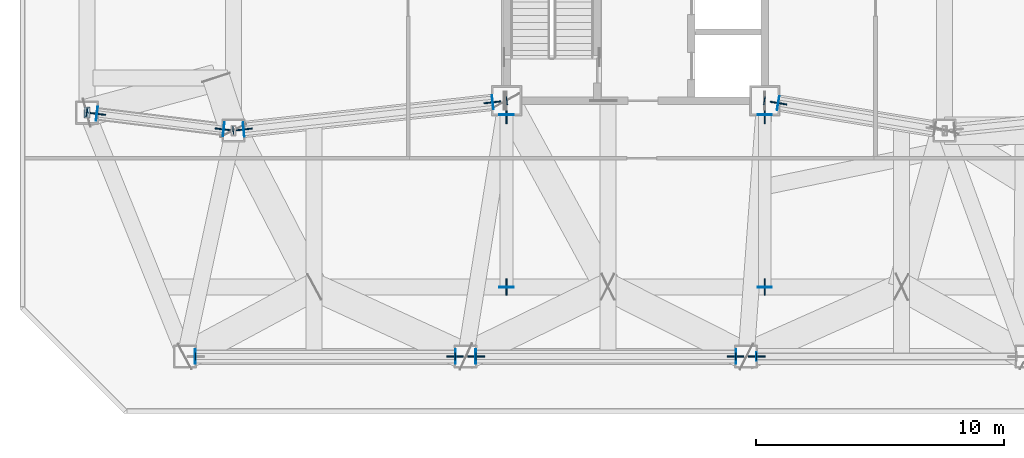
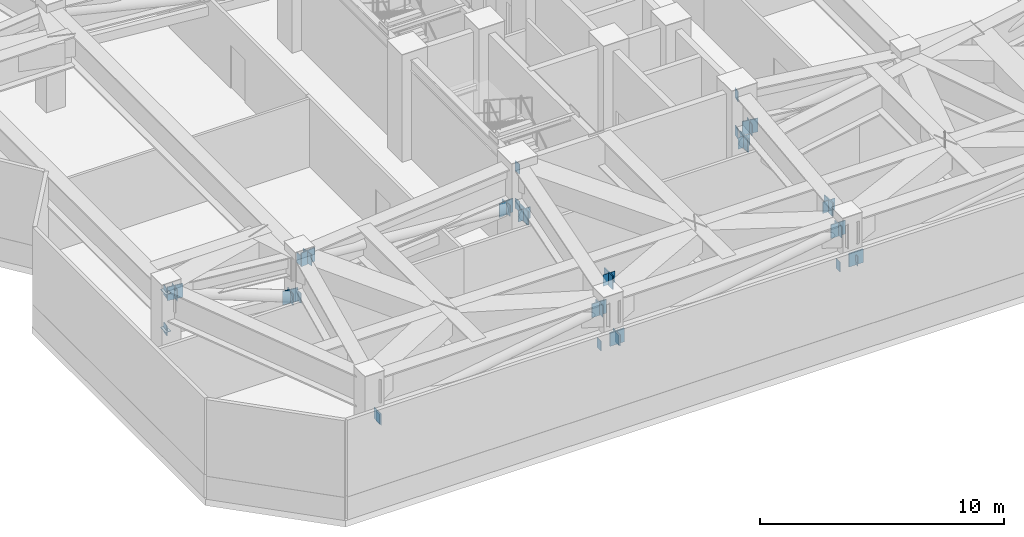
# One storey, part 9 of 19: 42 plates.
"""IFC4 building model written with IfcOpenShell, lengths in metres."""

from ifc_helpers import new_model, si_unit, direction, frame, origin, origin_2d, place, context, subcontext, project, spatial, rectangle, extrude, material, layer, layer_set, type_object, element, save


model = new_model("IFC4")

# Units and contexts
model_context = context("Model", 3, precision=1e-05, world=origin(), true_north=direction((0.0, 1.0)))
body_context = subcontext(model_context, "Body", "Model", "MODEL_VIEW")
ifc_project = project(units=[si_unit("LENGTHUNIT", "METRE"), si_unit("AREAUNIT", "SQUARE_METRE"), si_unit("VOLUMEUNIT", "CUBIC_METRE"), si_unit("PLANEANGLEUNIT", "RADIAN"), si_unit("MASSUNIT", "GRAM", prefix="KILO")], contexts=[model_context])

# Site, building, storey
site_placement = place(None, origin())
site = spatial("IfcSite", under=ifc_project, at=site_placement, CompositionType="ELEMENT")
building_placement = place(site_placement, origin())
building = spatial("IfcBuilding", under=site, at=building_placement, Name="Khamvora Tower", CompositionType="ELEMENT")
storey_placement = place(building_placement, frame((0.0, 0.0, 150.5)))
storey = spatial("IfcBuildingStorey", under=building, at=storey_placement, Name="L38", CompositionType="ELEMENT", Elevation=150.5)

# Plates
ifc_material_1 = material(Name="Steel S355", Category="steel")
ifc_layer_1 = layer(ifc_material_1, 0.02490234375)
ifc_layer_set_1 = layer_set([ifc_layer_1], Name="Steel S355")
plate_type_1 = type_object("IfcPlateType", Name="PL-CAP-25", PredefinedType="SHEET", material=ifc_layer_set_1)
for number, where, z_axis, x_axis, name in (
    (1, (29.011962890625, 19.0009765625, 4.375), (0.0, 0.0, 1.0), (-0.994101853063, -0.108450475968, 0.0), "L38 hollow section steel end cap plate 0796"),
    (2, (17.988037109375, 17.799072265625, 4.375), (0.0, 0.0, 1.0), (-0.994101853063, -0.108450475968, 0.0), "L38 hollow section steel end cap plate 0797"),
    (3, (29.011962890625, 19.0009765625, 2.5048828125), (0.0, 0.0, 1.0), (-0.994101853063, -0.108450475968, 0.0), "L38 hollow section steel end cap plate 0798"),
    (4, (17.988037109375, 17.799072265625, 2.5048828125), (0.0, 0.0, 1.0), (-0.994101853063, -0.108450475968, 0.0), "L38 hollow section steel end cap plate 0799"),
):
    element("IfcPlate", number, at=place(storey_placement, frame(where, z_axis=z_axis, x_axis=x_axis)), inside=storey, type_object=plate_type_1, Name=name, PredefinedType="SHEET", context=body_context, shape_type="SweptSolid", body=[
        extrude(rectangle(XDim=0.02490234375, YDim=0.31005859375, at=origin_2d()), origin(), (0.0, 0.0, 1.0), 0.510009765625),
    ])
for number, where, z_axis, x_axis, name in (
    (5, (28.443115234375, 18.93896484375, 2.57080078125), (0.0, 0.0, 1.0), (-0.994101853063, -0.108450475968, 0.0), "L38 hollow section steel end cap plate 0800"),
    (6, (18.408935546875, 17.844970703125, 4.27587890625), (0.0, 0.0, 1.0), (-0.994101853063, -0.108450475968, 0.0), "L38 hollow section steel end cap plate 0801"),
):
    element("IfcPlate", number, at=place(storey_placement, frame(where, z_axis=z_axis, x_axis=x_axis)), inside=storey, type_object=plate_type_1, Name=name, PredefinedType="SHEET", context=body_context, shape_type="SweptSolid", body=[
        extrude(rectangle(XDim=0.02490234375, YDim=0.568115234375, at=origin_2d()), origin(), (0.0, 0.0, 1.0), 0.568115234375),
    ])
for number, where, z_axis, x_axis, name in (
    (7, (12.087890625, 18.527099609375, 4.375), (0.0, 0.0, 1.0), (-0.992535512756, 0.121955958933, 0.0), "L38 hollow section steel end cap plate 0802"),
    (8, (12.087890625, 18.527099609375, 2.5048828125), (0.0, 0.0, 1.0), (-0.992535512756, 0.121955958933, 0.0), "L38 hollow section steel end cap plate 0803"),
):
    element("IfcPlate", number, at=place(storey_placement, frame(where, z_axis=z_axis, x_axis=x_axis)), inside=storey, type_object=plate_type_1, Name=name, PredefinedType="SHEET", context=body_context, shape_type="SweptSolid", body=[
        extrude(rectangle(XDim=0.02490234375, YDim=0.31005859375, at=origin_2d()), origin(), (0.0, 0.0, 1.0), 0.510009765625),
    ])
for number, where, z_axis, x_axis, name in (
    (9, (17.60498046875, 17.84912109375, 2.60107421875), (0.0, 0.0, 1.0), (-0.992533384071, 0.121973281927, 0.0), "L38 hollow section steel end cap plate 0804"),
    (10, (12.4951171875, 18.47607421875, 4.220703125), (0.0, 0.0, 1.0), (-0.992533384071, 0.121973281927, 0.0), "L38 hollow section steel end cap plate 0805"),
):
    element("IfcPlate", number, at=place(storey_placement, frame(where, z_axis=z_axis, x_axis=x_axis)), inside=storey, type_object=plate_type_1, Name=name, PredefinedType="SHEET", context=body_context, shape_type="SweptSolid", body=[
        extrude(rectangle(XDim=0.02490234375, YDim=0.568115234375, at=origin_2d()), origin(), (0.0, 0.0, 1.0), 0.568115234375),
    ])
for number, where, z_axis, x_axis, name in (
    (11, (12.10009765625, 18.52490234375, 2.735595703125), (0.0, 0.0, 1.0), (1.0, 0.0, 0.0), "L38 hollow section steel end cap plate 0806"),
    (12, (12.10009765625, 18.52490234375, 4.629638671875), (0.0, 0.0, 1.0), (1.0, 0.0, 0.0), "L38 hollow section steel end cap plate 0807"),
):
    element("IfcPlate", number, at=place(storey_placement, frame(where, z_axis=z_axis, x_axis=x_axis)), inside=storey, type_object=plate_type_1, Name=name, PredefinedType="SHEET", context=body_context, shape_type="SweptSolid", body=[
        extrude(rectangle(XDim=0.239990234375, YDim=0.43994140625, at=origin_2d()), origin(), (0.0, 0.0, 1.0), 0.02490234375),
    ])
for number, where, z_axis, x_axis, name in (
    (13, (39.387939453125, 19.001953125, 4.375), (0.0, 0.0, 1.0), (0.986577862158, -0.163291524277, 0.0), "L38 hollow section steel end cap plate 0820"),
    (14, (39.387939453125, 19.001953125, 2.5048828125), (0.0, 0.0, 1.0), (0.986577862158, -0.163291524277, 0.0), "L38 hollow section steel end cap plate 0822"),
):
    element("IfcPlate", number, at=place(storey_placement, frame(where, z_axis=z_axis, x_axis=x_axis)), inside=storey, type_object=plate_type_1, Name=name, PredefinedType="SHEET", context=body_context, shape_type="SweptSolid", body=[
        extrude(rectangle(XDim=0.02490234375, YDim=0.31005859375, at=origin_2d()), origin(), (0.0, 0.0, 1.0), 0.510009765625),
    ])
plate_1_placement = place(storey_placement, frame((39.943115234375, 18.909912109375, 2.61572265625), z_axis=(0.0, 0.0, 1.0), x_axis=(0.986580711982, -0.16327430522, 0.0)))
element("IfcPlate", 15, at=plate_1_placement, inside=storey, type_object=plate_type_1, Name="L38 hollow section steel end cap plate 0824", PredefinedType="SHEET", context=body_context, shape_type="SweptSolid", body=[
    extrude(rectangle(XDim=0.02490234375, YDim=0.568115234375, at=origin_2d()), origin(), (0.0, 0.0, 1.0), 0.568115234375),
])
for number, where, z_axis, x_axis, name in (
    (16, (16.468017578125, 8.699951171875, 2.5048828125), (0.0, 0.0, 1.0), (1.0, 0.0, 0.0), "L38 hollow section steel end cap plate 0844"),
    (17, (26.93310546875, 8.699951171875, 2.5048828125), (0.0, 0.0, 1.0), (1.0, 0.0, 0.0), "L38 hollow section steel end cap plate 0845"),
):
    element("IfcPlate", number, at=place(storey_placement, frame(where, z_axis=z_axis, x_axis=x_axis)), inside=storey, type_object=plate_type_1, Name=name, PredefinedType="SHEET", context=body_context, shape_type="SweptSolid", body=[
        extrude(rectangle(XDim=0.02490234375, YDim=0.31005859375, at=origin_2d()), origin(), (0.0, 0.0, 1.0), 0.510009765625),
    ])
for number, where, z_axis, x_axis, name in (
    (18, (16.4619140625, 8.699951171875, 2.5439453125), (0.0, 0.0, 1.0), (1.0, 0.0, 0.0), "L38 hollow section steel end cap plate 0846"),
    (19, (26.93798828125, 8.699951171875, 4.27783203125), (0.0, 0.0, 1.0), (1.0, 0.0, 0.0), "L38 hollow section steel end cap plate 0847"),
):
    element("IfcPlate", number, at=place(storey_placement, frame(where, z_axis=z_axis, x_axis=x_axis)), inside=storey, type_object=plate_type_1, Name=name, PredefinedType="SHEET", context=body_context, shape_type="SweptSolid", body=[
        extrude(rectangle(XDim=0.02490234375, YDim=0.568115234375, at=origin_2d()), origin(), (0.0, 0.0, 1.0), 0.568115234375),
    ])
for number, where, z_axis, x_axis, name in (
    (20, (27.76806640625, 8.699951171875, 2.5048828125), (0.0, 0.0, 1.0), (1.0, 0.0, 0.0), "L38 hollow section steel end cap plate 0848"),
    (21, (38.23291015625, 8.699951171875, 2.5048828125), (0.0, 0.0, 1.0), (1.0, 0.0, 0.0), "L38 hollow section steel end cap plate 0849"),
):
    element("IfcPlate", number, at=place(storey_placement, frame(where, z_axis=z_axis, x_axis=x_axis)), inside=storey, type_object=plate_type_1, Name=name, PredefinedType="SHEET", context=body_context, shape_type="SweptSolid", body=[
        extrude(rectangle(XDim=0.02490234375, YDim=0.31005859375, at=origin_2d()), origin(), (0.0, 0.0, 1.0), 0.510009765625),
    ])
for number, where, z_axis, x_axis, name in (
    (22, (27.761962890625, 8.699951171875, 2.5439453125), (0.0, 0.0, 1.0), (1.0, 0.0, 0.0), "L38 hollow section steel end cap plate 0850"),
    (23, (38.238037109375, 8.699951171875, 4.27783203125), (0.0, 0.0, 1.0), (1.0, 0.0, 0.0), "L38 hollow section steel end cap plate 0851"),
):
    element("IfcPlate", number, at=place(storey_placement, frame(where, z_axis=z_axis, x_axis=x_axis)), inside=storey, type_object=plate_type_1, Name=name, PredefinedType="SHEET", context=body_context, shape_type="SweptSolid", body=[
        extrude(rectangle(XDim=0.02490234375, YDim=0.568115234375, at=origin_2d()), origin(), (0.0, 0.0, 1.0), 0.568115234375),
    ])
plate_2_placement = place(storey_placement, frame((39.06689453125, 8.699951171875, 2.5048828125), z_axis=(0.0, 0.0, 1.0), x_axis=(1.0, 0.0, 0.0)))
element("IfcPlate", 24, at=plate_2_placement, inside=storey, type_object=plate_type_1, Name="L38 hollow section steel end cap plate 0852", PredefinedType="SHEET", context=body_context, shape_type="SweptSolid", body=[
    extrude(rectangle(XDim=0.02490234375, YDim=0.31005859375, at=origin_2d()), origin(), (0.0, 0.0, 1.0), 0.510009765625),
])
for number, where, z_axis, x_axis, name in (
    (25, (29.0, 18.43798828125, 2.34716796875), (0.0, 0.0, 1.0), (0.0, -1.0, 0.0), "L38 hollow section steel end cap plate 0864"),
    (26, (29.0, 11.488037109375, 3.34814453125), (0.0, 0.0, 1.0), (0.0, -1.0, 0.0), "L38 hollow section steel end cap plate 0865"),
    (27, (39.39990234375, 18.43798828125, 2.34716796875), (0.0, 0.0, 1.0), (0.0, -1.0, 0.0), "L38 hollow section steel end cap plate 0866"),
    (28, (39.39990234375, 11.488037109375, 3.34814453125), (0.0, 0.0, 1.0), (0.0, -1.0, 0.0), "L38 hollow section steel end cap plate 0867"),
):
    element("IfcPlate", number, at=place(storey_placement, frame(where, z_axis=z_axis, x_axis=x_axis)), inside=storey, type_object=plate_type_1, Name=name, PredefinedType="SHEET", context=body_context, shape_type="SweptSolid", body=[
        extrude(rectangle(XDim=0.02490234375, YDim=0.568115234375, at=origin_2d()), origin(), (0.0, 0.0, 1.0), 0.568115234375),
    ])
plate_3_placement = place(storey_placement, frame((39.06201171875, 8.699951171875, 2.66455078125), z_axis=(0.0, 0.0, 1.0), x_axis=(1.0, 0.0, 0.0)))
element("IfcPlate", 29, at=plate_3_placement, inside=storey, type_object=plate_type_1, Name="L38 hollow section steel end cap plate 0932", PredefinedType="SHEET", context=body_context, shape_type="SweptSolid", body=[
    extrude(rectangle(XDim=0.02490234375, YDim=0.3330078125, at=origin_2d()), origin(), (0.0, 0.0, 1.0), 0.3330078125),
])
ifc_material_2 = material(Name="Steel S460", Category="steel")
ifc_layer_2 = layer(ifc_material_2, 0.050048828125)
ifc_layer_set_2 = layer_set([ifc_layer_2], Name="Steel S460")
plate_type_2 = type_object("IfcPlateType", Name="PLT-GUS-50", PredefinedType="SHEET", material=ifc_layer_set_2)
for number, where, z_axis, x_axis, name in (
    (30, (28.430908203125, 18.93798828125, 2.51708984375), (0.0, 0.0, 1.0), (-0.994101853063, -0.108450475968, 0.0), "L38 brace connection node gusset plate 0229"),
    (31, (18.4208984375, 17.845947265625, 4.21826171875), (0.0, 0.0, 1.0), (-0.994101853063, -0.108450475968, 0.0), "L38 brace connection node gusset plate 0230"),
    (32, (17.593017578125, 17.85009765625, 2.548828125), (0.0, 0.0, 1.0), (-0.992535512756, 0.121955958933, 0.0), "L38 brace connection node gusset plate 0231"),
    (33, (12.507080078125, 18.47509765625, 4.1611328125), (0.0, 0.0, 1.0), (-0.992535512756, 0.121955958933, 0.0), "L38 brace connection node gusset plate 0232"),
    (34, (39.955078125, 18.907958984375, 2.56298828125), (0.0, 0.0, 1.0), (0.986577862158, -0.163291524277, 0.0), "L38 brace connection node gusset plate 0237"),
    (35, (26.926025390625, 8.699951171875, 4.22021484375), (0.0, 0.0, 1.0), (1.0, 0.0, 0.0), "L38 brace connection node gusset plate 0246"),
    (36, (27.77392578125, 8.699951171875, 2.490234375), (0.0, 0.0, 1.0), (1.0, 0.0, 0.0), "L38 brace connection node gusset plate 0247"),
    (37, (38.22607421875, 8.699951171875, 4.22021484375), (0.0, 0.0, 1.0), (1.0, 0.0, 0.0), "L38 brace connection node gusset plate 0248"),
    (38, (29.0, 18.426025390625, 2.29296875), (0.0, 0.0, 1.0), (0.0, -1.0, 0.0), "L38 brace connection node gusset plate 0253"),
    (39, (29.0, 11.5, 3.2900390625), (0.0, 0.0, 1.0), (0.0, -1.0, 0.0), "L38 brace connection node gusset plate 0254"),
    (40, (39.39990234375, 18.426025390625, 2.29296875), (0.0, 0.0, 1.0), (0.0, -1.0, 0.0), "L38 brace connection node gusset plate 0255"),
    (41, (39.39990234375, 11.5, 3.2900390625), (0.0, 0.0, 1.0), (0.0, -1.0, 0.0), "L38 brace connection node gusset plate 0256"),
    (42, (39.073974609375, 8.699951171875, 2.4931640625), (0.0, 0.0, 1.0), (1.0, 0.0, 0.0), "L38 brace connection node gusset plate 0269"),
):
    element("IfcPlate", number, at=place(storey_placement, frame(where, z_axis=z_axis, x_axis=x_axis)), inside=storey, type_object=plate_type_2, Name=name, PredefinedType="SHEET", context=body_context, shape_type="SweptSolid", body=[
        extrude(rectangle(XDim=0.679931640625, YDim=0.050048828125, at=origin_2d()), origin(), (0.0, 0.0, 1.0), 0.679931640625),
    ])

save(model, "model.ifc")
